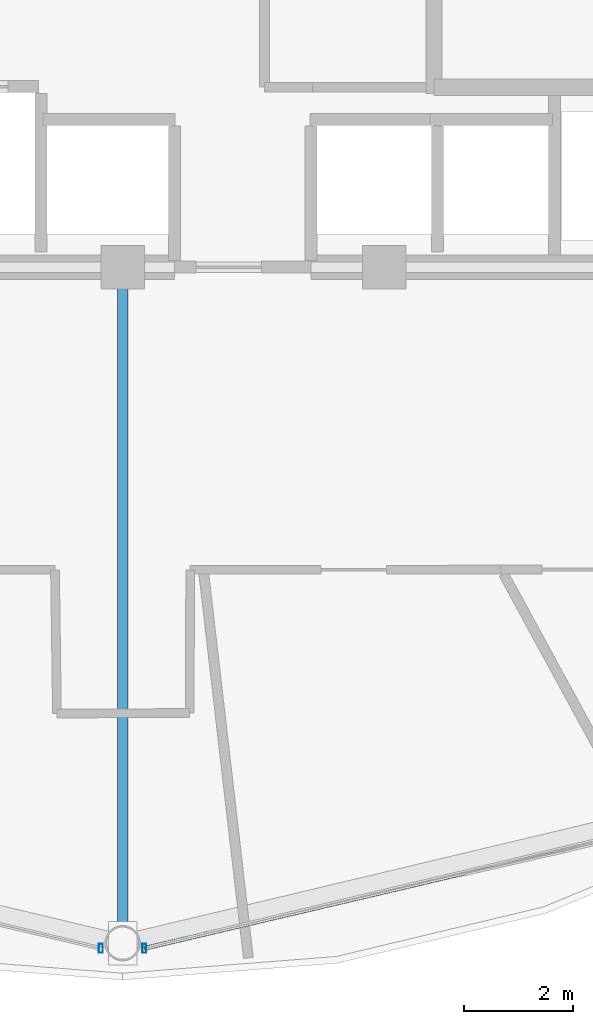
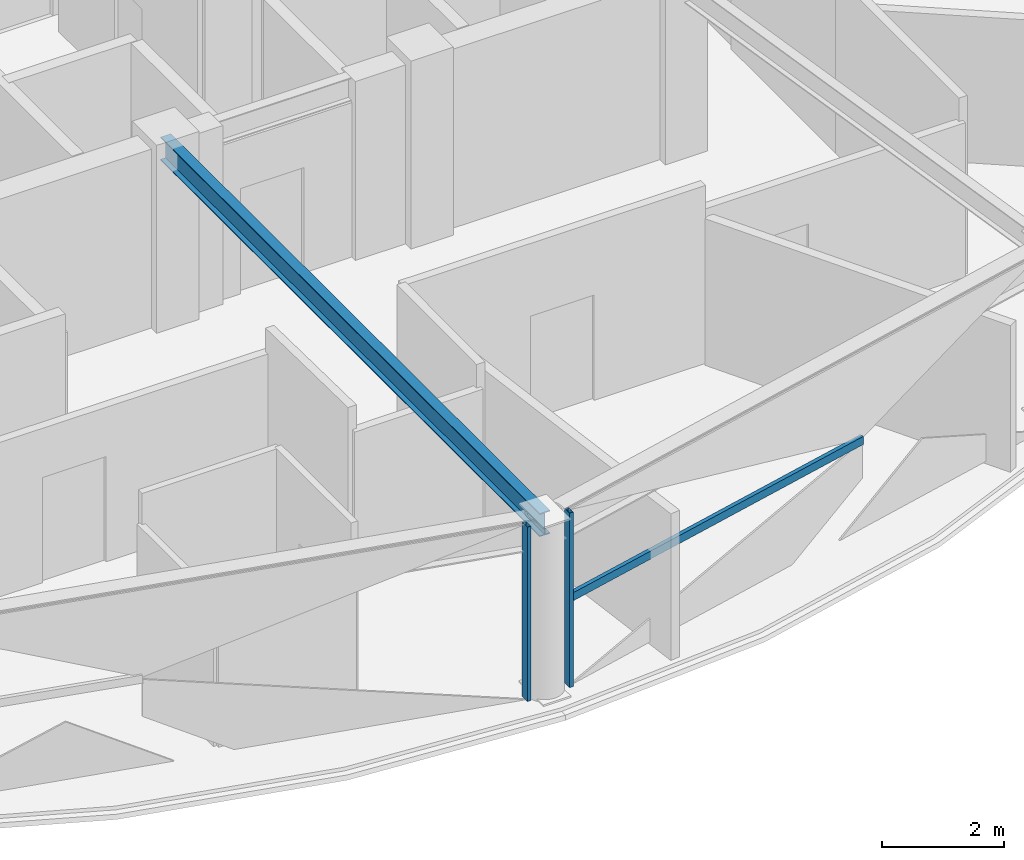
# One storey, part 5 of 28: 3 members, 1 beam, 2 elements without a shape of their own.
"""IFC4 building model written with IfcOpenShell, lengths in metres."""

from ifc_helpers import new_model, si_unit, direction, frame, origin, origin_2d, place, context, subcontext, project, spatial, hollow_rectangle, i_section, extrude, material, layer, layer_set, material_profile, profile_set, type_object, element, aggregate, save


model = new_model("IFC4")

# Units and contexts
model_context = context("Model", 3, precision=1e-05, world=origin(), true_north=direction((0.0, 1.0)))
body_context = subcontext(model_context, "Body", "Model", "MODEL_VIEW")
ifc_project = project(units=[si_unit("LENGTHUNIT", "METRE"), si_unit("AREAUNIT", "SQUARE_METRE"), si_unit("VOLUMEUNIT", "CUBIC_METRE"), si_unit("PLANEANGLEUNIT", "RADIAN"), si_unit("MASSUNIT", "GRAM", prefix="KILO")], contexts=[model_context])

# Site, building, storey
site_placement = place(None, origin())
site = spatial("IfcSite", under=ifc_project, at=site_placement, CompositionType="ELEMENT")
building_placement = place(site_placement, origin())
building = spatial("IfcBuilding", under=site, at=building_placement, Name="Vantalir Tower", CompositionType="ELEMENT")
storey_placement = place(building_placement, frame((0.0, 0.0, 223.64990234375)))
storey = spatial("IfcBuildingStorey", under=building, at=storey_placement, Name="L56", CompositionType="ELEMENT", Elevation=223.64990234375)

# Beam
ifc_material_1 = material(Name="Steel S355", Category="steel")
ifc_material_profile_1 = material_profile(ifc_material_1, i_section(OverallWidth=0.19189453125, OverallDepth=0.462890625, WebThickness=0.010498046875, FlangeThickness=0.017578125, at=origin_2d()), Name="Steel S355")
ifc_profile_set_1 = profile_set([ifc_material_profile_1], Name="Steel S355")
beam_type = type_object("IfcBeamType", Name="BM-RB-457x191", PredefinedType="BEAM", material=ifc_profile_set_1)
beam_placement = place(storey_placement, frame((31.5, 5.404052734375, 3.338134765625), z_axis=(0.0, 1.0, 0.0), x_axis=(-1.0, 0.0, 0.0)))
element("IfcBeam", 1, at=beam_placement, inside=storey, type_object=beam_type, Name="L56 Radial Floor Beam 10", PredefinedType="BEAM", context=body_context, shape_type="SweptSolid", body=[
    extrude(i_section(OverallWidth=0.19189453125, OverallDepth=0.462890625, WebThickness=0.010498046875, FlangeThickness=0.017578125, at=origin_2d()), origin(), (0.0, 0.0, 1.0), 12.39599609375),
])

# Curtain wall, member
ifc_material_2 = material(Name="Champagne-silver PVDF aluminium and double-silver Low-E glass", Category="aluminium")
ifc_layer = layer(ifc_material_2, 0.2099609375)
ifc_layer_set = layer_set([ifc_layer], Name="Champagne-silver PVDF aluminium and double-silver Low-E glass")
curtain_wall_type = type_object("IfcCurtainWallType", Name="CW-DIAMOND-Z3", PredefinedType="USERDEFINED", material=ifc_layer_set)
curtain_wall_1_placement = place(storey_placement, origin())
curtain_wall_1 = element("IfcCurtainWall", 2, at=curtain_wall_1_placement, inside=storey, type_object=curtain_wall_type, Name="L56 Quilted Pyramid-Diamond Curtain Wall S09", ObjectType="UNITISED CURTAIN WALL", PredefinedType="USERDEFINED")
ifc_material_3 = material(Name="Champagne-silver PVDF aluminium 6063-T6", Category="aluminium")
ifc_material_profile_2 = material_profile(ifc_material_3, hollow_rectangle(XDim=0.070068359375, YDim=0.1650390625, WallThickness=0.00390625, at=origin_2d()), Name="Champagne-silver PVDF aluminium 6063-T6")
ifc_profile_set_2 = profile_set([ifc_material_profile_2], Name="Champagne-silver PVDF aluminium 6063-T6")
member_type_1 = type_object("IfcMemberType", Name="CWM-165x70", PredefinedType="MULLION", material=ifc_profile_set_2)
member_1_placement = place(storey_placement, frame((31.10107421875, 5.30908203125, 0.045166015625), z_axis=(0.0, 0.0, 1.0), x_axis=(1.0, 0.0, 0.0)))
member_1 = element("IfcMember", 3, at=member_1_placement, type_object=member_type_1, Name="CW-L56-S09 Mullion 2", PredefinedType="MULLION", context=body_context, shape_type="SweptSolid", body=[
    extrude(hollow_rectangle(XDim=0.070068359375, YDim=0.1650390625, WallThickness=0.00390625, at=origin_2d()), origin(), (0.0, 0.0, 1.0), 3.47998046875),
])
aggregate(curtain_wall_1, [member_1])

# Curtain wall, members
curtain_wall_2_placement = place(storey_placement, origin())
curtain_wall_2 = element("IfcCurtainWall", 4, at=curtain_wall_2_placement, inside=storey, type_object=curtain_wall_type, Name="L56 Quilted Pyramid-Diamond Curtain Wall S10", ObjectType="UNITISED CURTAIN WALL", PredefinedType="USERDEFINED")
member_2_placement = place(storey_placement, frame((31.89892578125, 5.30908203125, 0.045166015625), z_axis=(0.0, 0.0, 1.0), x_axis=(1.0, 0.0, 0.0)))
member_2 = element("IfcMember", 5, at=member_2_placement, type_object=member_type_1, Name="CW-L56-S10 Mullion 1", PredefinedType="MULLION", context=body_context, shape_type="SweptSolid", body=[
    extrude(hollow_rectangle(XDim=0.070068359375, YDim=0.1650390625, WallThickness=0.00390625, at=origin_2d()), origin(), (0.0, 0.0, 1.0), 3.47998046875),
])
ifc_material_profile_3 = material_profile(ifc_material_3, hollow_rectangle(XDim=0.074951171875, YDim=0.159912109375, WallThickness=0.00390625, at=origin_2d()), Name="Champagne-silver PVDF aluminium 6063-T6")
ifc_profile_set_3 = profile_set([ifc_material_profile_3], Name="Champagne-silver PVDF aluminium 6063-T6")
member_type_2 = type_object("IfcMemberType", Name="CWT-160x75", PredefinedType="USERDEFINED", material=ifc_profile_set_3)
member_3_placement = place(storey_placement, frame((31.89892578125, 5.30908203125, 1.78515625), z_axis=(0.973493126909, 0.22871626934, 0.0), x_axis=(-0.22871626934, 0.973493126909, 0.0)))
member_3 = element("IfcMember", 6, at=member_3_placement, type_object=member_type_2, Name="CW-L56-S10 Pyramid Fold Ridge Transom", ObjectType="TRANSOM", PredefinedType="USERDEFINED", context=body_context, shape_type="SweptSolid", body=[
    extrude(hollow_rectangle(XDim=0.074951171875, YDim=0.159912109375, WallThickness=0.00390625, at=origin_2d()), origin(), (0.0, 0.0, 1.0), 6.571044921875),
])
aggregate(curtain_wall_2, [member_2, member_3])

save(model, "model.ifc")
